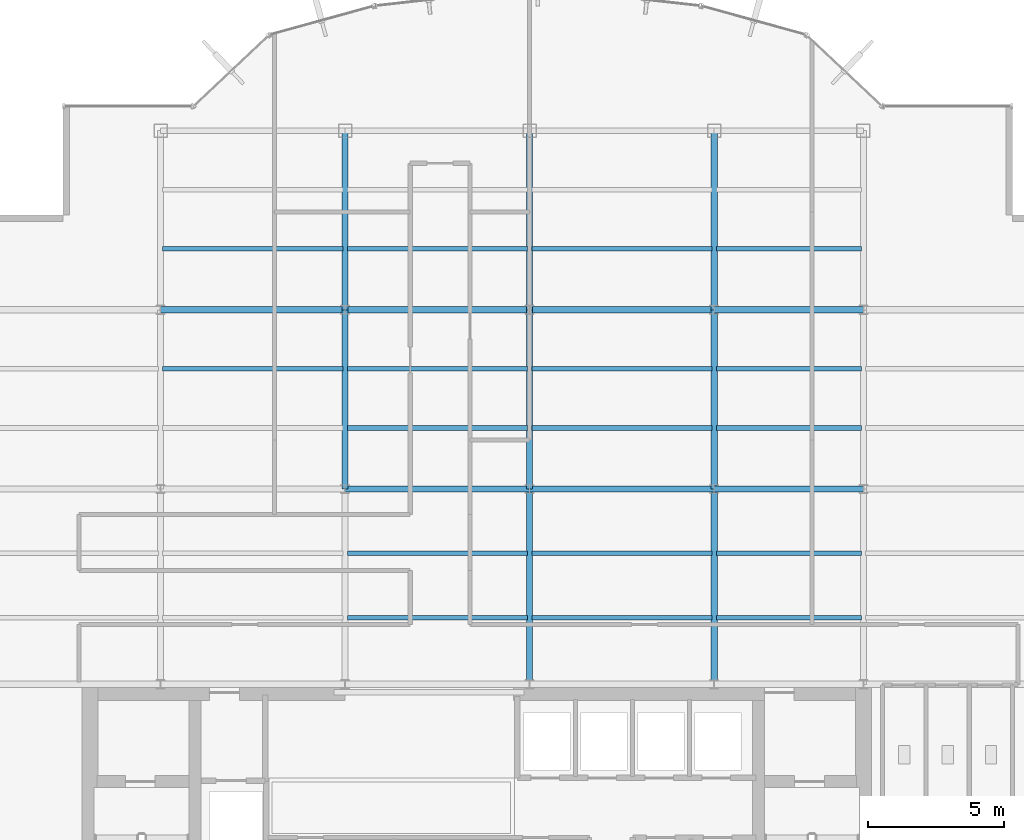
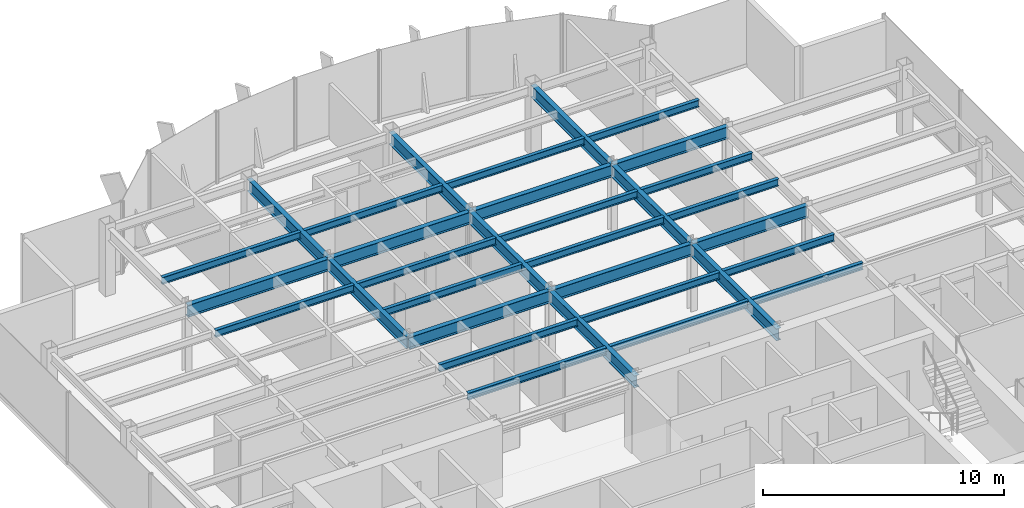
# One storey, part 8 of 22: 32 beams.
"""IFC4 building model written with IfcOpenShell, lengths in metres."""

import ifcopenshell
import ifcopenshell.guid

model = None  # the IFC model being written
_history = None  # IfcOwnerHistory: only IFC2X3 demands one
_inside = {}  # id of a spatial element -> (the spatial element, [elements in it])
_under = {}  # id of a project, library or spatial element -> (it, [spatial elements below it])
_declared = {}  # id of a project -> (the project, [libraries it declares])
_typed = {}  # id of a type object -> (the type object, [elements of that type])
_made_of = {}  # id of a material, layer set ... -> (it, [elements and type objects made of it])


def new_model(schema):
    """Start an empty IFC model of exactly this schema.

    Asked for "IFC4X3", IfcOpenShell would pick the latest addendum, in which some entities
    have other attributes; the version numbers below select the first issue.
    IFC2X3 requires an IfcOwnerHistory on every rooted entity: one is made here for all.
    """
    global model, _history
    if schema == "IFC4X3":
        model = ifcopenshell.file(schema_version=(4, 3, 0, 0))
    else:
        model = ifcopenshell.file(schema=schema)
    _inside.clear()
    _under.clear()
    _declared.clear()
    _typed.clear()
    _made_of.clear()
    _history = None
    if model.schema == "IFC2X3":
        org = make("IfcOrganization", Name="unknown")
        user = make(
            "IfcPersonAndOrganization",
            ThePerson=make("IfcPerson", FamilyName="unknown"),
            TheOrganization=org,
        )
        app = make(
            "IfcApplication",
            ApplicationDeveloper=org,
            Version="unknown",
            ApplicationFullName="unknown",
            ApplicationIdentifier="unknown",
        )
        _history = make(
            "IfcOwnerHistory",
            OwningUser=user,
            OwningApplication=app,
            ChangeAction="ADDED",
            CreationDate=0,
        )
    return model


def make(cls, **values):
    """One entity of the class cls with the attributes given. An attribute that is None is left unset."""
    return model.create_entity(
        cls, **{name: value for name, value in values.items() if value is not None}
    )


def rooted(cls, **values):
    """An entity with a GlobalId (a new one), such as an element, a storey or a relation."""
    return make(cls, GlobalId=ifcopenshell.guid.new(), OwnerHistory=_history, **values)


def si_unit(unit_type, name, prefix=None):
    """IfcSIUnit, for example si_unit("LENGTHUNIT", "METRE", prefix="MILLI")."""
    return make("IfcSIUnit", UnitType=unit_type, Prefix=prefix, Name=name)


def derived_unit(unit_type, elements):
    """IfcDerivedUnit: a product of units, each with its exponent."""
    return make(
        "IfcDerivedUnit",
        Elements=[
            make("IfcDerivedUnitElement", Unit=unit, Exponent=power)
            for unit, power in elements
        ],
        UnitType=unit_type,
    )


def assignment(units):
    """IfcUnitAssignment: the units of a project."""
    return None if units is None else make("IfcUnitAssignment", Units=units)


def point(xyz):
    """IfcCartesianPoint."""
    return None if xyz is None else make("IfcCartesianPoint", Coordinates=xyz)


def direction(xyz):
    """IfcDirection."""
    return None if xyz is None else make("IfcDirection", DirectionRatios=xyz)


def frame(location, z_axis=None, x_axis=None):
    """IfcAxis2Placement3D, a coordinate frame: its origin and axes. An axis left out is left unset."""
    return make(
        "IfcAxis2Placement3D",
        Location=point(location),
        Axis=direction(z_axis),
        RefDirection=direction(x_axis),
    )


def frame_2d(location, x_axis=None):
    """IfcAxis2Placement2D, a coordinate frame in the plane: its origin and x axis."""
    return make(
        "IfcAxis2Placement2D", Location=point(location), RefDirection=direction(x_axis)
    )


def origin():
    """The frame at (0, 0, 0) with its axes left unset."""
    return frame((0.0, 0.0, 0.0))


def origin_2d():
    """The frame at (0, 0) in the plane with its x axis left unset."""
    return frame_2d((0.0, 0.0))


def place(relative_to, where):
    """IfcLocalPlacement: puts the frame where relative to a parent placement (None: the world)."""
    return make(
        "IfcLocalPlacement", PlacementRelTo=relative_to, RelativePlacement=where
    )


def context(
    kind, dimensions, precision=None, world=None, true_north=None, identifier=None
):
    """IfcGeometricRepresentationContext, for example the 3D "Model" context."""
    return make(
        "IfcGeometricRepresentationContext",
        ContextIdentifier=identifier,
        ContextType=kind,
        CoordinateSpaceDimension=dimensions,
        Precision=precision,
        WorldCoordinateSystem=world,
        TrueNorth=true_north,
    )


def subcontext(parent, identifier, kind, view, scale=None):
    """IfcGeometricRepresentationSubContext, for example "Body" below "Model"."""
    return make(
        "IfcGeometricRepresentationSubContext",
        ContextIdentifier=identifier,
        ContextType=kind,
        ParentContext=parent,
        TargetScale=scale,
        TargetView=view,
    )


def project(units=None, contexts=None):
    """IfcProject with its units and contexts."""
    return rooted(
        "IfcProject",
        Name="project",
        RepresentationContexts=contexts,
        UnitsInContext=assignment(units),
    )


def spatial(cls, under=None, at=None, **own):
    """A site, building, storey or space (cls), placed at a placement, below another one or the project."""
    s = rooted(cls, ObjectPlacement=at, **own)
    if under is not None:
        _under.setdefault(under.id(), (under, []))[1].append(s)
    return s


def profile(cls, at=None, kind="AREA", **sizes):
    """A parametric profile (cls). Its sizes go by their IFC names, for example OverallWidth=200.0."""
    return make(cls, ProfileType=kind, Position=at, **sizes)


def i_section(**sizes):
    """IfcIShapeProfileDef."""
    return profile("IfcIShapeProfileDef", **sizes)


def extrude(swept, where, along, depth):
    """IfcExtrudedAreaSolid: the profile swept, set in the frame where, extruded along a direction by depth."""
    return make(
        "IfcExtrudedAreaSolid",
        SweptArea=swept,
        Position=where,
        ExtrudedDirection=direction(along),
        Depth=depth,
    )


def shape(context_of_items, identifier, shape_type, items):
    """IfcShapeRepresentation: the items that make up one representation, for example the "Body"."""
    return make(
        "IfcShapeRepresentation",
        ContextOfItems=context_of_items,
        RepresentationIdentifier=identifier,
        RepresentationType=shape_type,
        Items=items,
    )


def source(mapping_origin, context_of_items, identifier, shape_type, items):
    """IfcRepresentationMap: a shape defined once, which mapped items show again and again."""
    return make(
        "IfcRepresentationMap",
        MappingOrigin=mapping_origin,
        MappedRepresentation=shape(context_of_items, identifier, shape_type, items),
    )


def transform(
    local_origin,
    x_axis=None,
    y_axis=None,
    z_axis=None,
    scale=None,
    scale2=None,
    scale3=None,
    uniform=True,
):
    """IfcCartesianTransformationOperator3D, or its non-uniform kind. x_axis, y_axis, z_axis: its Axis1, 2, 3."""
    if uniform:
        return make(
            "IfcCartesianTransformationOperator3D",
            Axis1=direction(x_axis),
            Axis2=direction(y_axis),
            LocalOrigin=point(local_origin),
            Scale=scale,
            Axis3=direction(z_axis),
        )
    return make(
        "IfcCartesianTransformationOperator3DnonUniform",
        Axis1=direction(x_axis),
        Axis2=direction(y_axis),
        LocalOrigin=point(local_origin),
        Scale=scale,
        Axis3=direction(z_axis),
        Scale2=scale2,
        Scale3=scale3,
    )


def mapped(mapping_source, mapping_target):
    """IfcMappedItem: shows the shape of a source again, moved by a transform."""
    return make(
        "IfcMappedItem", MappingSource=mapping_source, MappingTarget=mapping_target
    )


def material(Name=None, Category=None):
    """IfcMaterial."""
    return make("IfcMaterial", Name=Name, Category=Category)


def material_profile(
    of_material, cross_section, Name=None, Category=None, Priority=None
):
    """IfcMaterialProfile: a cross section and its material."""
    return make(
        "IfcMaterialProfile",
        Name=Name,
        Material=of_material,
        Profile=cross_section,
        Priority=Priority,
        Category=Category,
    )


def profile_set(profiles, Name=None, composite=None):
    """IfcMaterialProfileSet."""
    return make(
        "IfcMaterialProfileSet",
        Name=Name,
        MaterialProfiles=profiles,
        CompositeProfile=composite,
    )


def made_of(thing, what):
    """Note that an element or type object is made of a material, layer set ...; save() writes the relation."""
    if what is not None:
        _made_of.setdefault(what.id(), (what, []))[1].append(thing)
    return thing


def type_object(cls, material=None, **own):
    """A type object (cls), such as IfcWallType, which elements share."""
    return made_of(rooted(cls, **own), material)


def element(
    cls,
    number,
    at=None,
    inside=None,
    cuts=None,
    type_object=None,
    material=None,
    context=None,
    identifier="Body",
    shape_type=None,
    held_by="IfcProductDefinitionShape",
    body=None,
    shapes=None,
    **own,
):
    """One element of the class cls, such as IfcWall. Its Tag is "e" and its number.

    at: its placement. inside: the storey or other place that contains it. cuts: it is an
    opening in that element (IfcRelVoidsElement). A single representation is given by context,
    identifier, shape_type and body (its items); several are given by shapes. held_by: the class
    of the entity that holds the representations. save() writes the other relations.
    """
    e = rooted(cls, Tag="e%d" % number, ObjectPlacement=at, **own)
    if body is not None:
        shapes = [shape(context, identifier, shape_type, body)]
    if shapes is not None:
        e.Representation = make(held_by, Representations=shapes)
    if inside is not None:
        _inside.setdefault(inside.id(), (inside, []))[1].append(e)
    if cuts is not None:
        rooted(
            "IfcRelVoidsElement", RelatingBuildingElement=cuts, RelatedOpeningElement=e
        )
    if type_object is not None:
        _typed.setdefault(type_object.id(), (type_object, []))[1].append(e)
    return made_of(e, material)


def aggregate(whole, parts):
    """IfcRelAggregates: a whole, such as a stair, and the parts it consists of."""
    return rooted("IfcRelAggregates", RelatingObject=whole, RelatedObjects=parts)


def save(model, path):
    """Write the relations noted so far, then the file.

    IfcRelAggregates (storeys below a building ...), IfcRelContainedInSpatialStructure (elements
    in a storey), IfcRelDefinesByType, IfcRelAssociatesMaterial and IfcRelDeclares: one each for
    every whole, place, type object, material and project.
    """
    for whole, parts in _under.values():
        aggregate(whole, parts)
    for where, things in _inside.values():
        rooted(
            "IfcRelContainedInSpatialStructure",
            RelatedElements=things,
            RelatingStructure=where,
        )
    for kind, things in _typed.values():
        rooted("IfcRelDefinesByType", RelatedObjects=things, RelatingType=kind)
    for what, things in _made_of.values():
        rooted("IfcRelAssociatesMaterial", RelatedObjects=things, RelatingMaterial=what)
    for by, libraries in _declared.values():
        rooted("IfcRelDeclares", RelatingContext=by, RelatedDefinitions=libraries)
    model.write(path)


model = new_model("IFC4")

# Units and contexts
model_context = context("Model", 3, precision=1e-05, world=origin(), true_north=direction((0.0, 1.0)))
body_context = subcontext(model_context, "Body", "Model", "MODEL_VIEW")
ifc_project = project(units=[si_unit("LENGTHUNIT", "METRE"), si_unit("AREAUNIT", "SQUARE_METRE"), si_unit("VOLUMEUNIT", "CUBIC_METRE"), si_unit("PLANEANGLEUNIT", "RADIAN"), si_unit("MASSUNIT", "GRAM", prefix="KILO"), derived_unit("THERMALTRANSMITTANCEUNIT", [(si_unit("POWERUNIT", "WATT"), 1), (si_unit("LENGTHUNIT", "METRE"), -2), (si_unit("THERMODYNAMICTEMPERATUREUNIT", "KELVIN"), -1)])], contexts=[model_context])

# Site, building, storey
site_placement = place(None, origin())
site = spatial("IfcSite", under=ifc_project, at=site_placement, CompositionType="ELEMENT")
building_placement = place(site_placement, origin())
building = spatial("IfcBuilding", under=site, at=building_placement, Name="Skarnbrae Concourse Arena and Tower", CompositionType="ELEMENT")
storey_placement = place(building_placement, frame((0.0, 0.0, 228.75)))
storey = spatial("IfcBuildingStorey", under=building, at=storey_placement, Name="L59", CompositionType="ELEMENT", Elevation=228.75)

# Beams
ifc_material = material(Name="Steel CSA G40.21 350W", Category="steel")
ifc_material_profile_1 = material_profile(ifc_material, i_section(OverallWidth=0.22802734375, OverallDepth=0.60791015625, WebThickness=0.01123046875, FlangeThickness=0.017333984375, at=origin_2d()), Name="W610X113")
ifc_profile_set_1 = profile_set([ifc_material_profile_1], Name="Steel CSA G40.21 350W")
beam_type_1 = type_object("IfcBeamType", Name="BM-GIRD-W610X113", PredefinedType="BEAM", material=ifc_profile_set_1)
shared_shape_1 = source(origin(), body_context, "Body", "SweptSolid", [
    extrude(i_section(OverallWidth=0.22802734375, OverallDepth=0.60791015625, WebThickness=0.01123046875, FlangeThickness=0.017333984375, at=origin_2d()), origin(), (0.0, 0.0, 1.0), 6.60009765625),
])
for number, where, z_axis, x_axis, name in (
    (1, (14.39990234375, 21.199951171875, 3.095947265625), (0.0, 1.0, 0.0), (-1.0, 0.0, 0.0), "L59 Primary N-S girder X14.4-2"),
    (2, (21.199951171875, 21.199951171875, 3.095947265625), (0.0, 1.0, 0.0), (-1.0, 0.0, 0.0), "L59 Primary N-S girder X21.2-2"),
    (3, (28.0, 21.199951171875, 3.095947265625), (0.0, 1.0, 0.0), (-1.0, 0.0, 0.0), "L59 Primary N-S girder X28.0-2"),
):
    element("IfcBeam", number, at=place(storey_placement, frame(where, z_axis=z_axis, x_axis=x_axis)), inside=storey, type_object=beam_type_1, Name=name, PredefinedType="BEAM", context=body_context, shape_type="MappedRepresentation", body=[
        mapped(shared_shape_1, transform((0.0, 0.0, 0.0))),
    ])
shared_shape_2 = source(origin(), body_context, "Body", "SweptSolid", [
    extrude(i_section(OverallWidth=0.22802734375, OverallDepth=0.60791015625, WebThickness=0.01123046875, FlangeThickness=0.017333984375, at=origin_2d()), origin(), (0.0, 0.0, 1.0), 6.7998046875),
])
beam_placement = place(storey_placement, frame((7.60009765625, 27.800048828125, 3.095947265625), z_axis=(1.0, 0.0, 0.0), x_axis=(0.0, 1.0, 0.0)))
element("IfcBeam", 4, at=beam_placement, inside=storey, type_object=beam_type_1, Name="L59 Primary E-W girder Y27.8-2", PredefinedType="BEAM", context=body_context, shape_type="MappedRepresentation", body=[
    mapped(shared_shape_2, transform((0.0, 0.0, 0.0))),
])
shared_shape_3 = source(origin(), body_context, "Body", "SweptSolid", [
    extrude(i_section(OverallWidth=0.22802734375, OverallDepth=0.60791015625, WebThickness=0.01123046875, FlangeThickness=0.017333984375, at=origin_2d()), origin(), (0.0, 0.0, 1.0), 6.800048828125),
])
for number, where, z_axis, x_axis, name in (
    (5, (14.39990234375, 21.199951171875, 3.095947265625), (1.0, 0.0, 0.0), (0.0, 1.0, 0.0), "L59 Primary E-W girder Y21.2-3"),
    (6, (21.199951171875, 21.199951171875, 3.095947265625), (1.0, 0.0, 0.0), (0.0, 1.0, 0.0), "L59 Primary E-W girder Y21.2-4"),
    (7, (14.39990234375, 27.800048828125, 3.095947265625), (1.0, 0.0, 0.0), (0.0, 1.0, 0.0), "L59 Primary E-W girder Y27.8-3"),
    (8, (21.199951171875, 27.800048828125, 3.095947265625), (1.0, 0.0, 0.0), (0.0, 1.0, 0.0), "L59 Primary E-W girder Y27.8-4"),
):
    element("IfcBeam", number, at=place(storey_placement, frame(where, z_axis=z_axis, x_axis=x_axis)), inside=storey, type_object=beam_type_1, Name=name, PredefinedType="BEAM", context=body_context, shape_type="MappedRepresentation", body=[
        mapped(shared_shape_3, transform((0.0, 0.0, 0.0))),
    ])
shared_shape_4 = source(origin(), body_context, "Body", "SweptSolid", [
    extrude(i_section(OverallWidth=0.22802734375, OverallDepth=0.60791015625, WebThickness=0.01123046875, FlangeThickness=0.017333984375, at=origin_2d()), origin(), (0.0, 0.0, 1.0), 5.5),
])
for number, where, z_axis, x_axis, name in (
    (9, (28.0, 21.199951171875, 3.095947265625), (1.0, 0.0, 0.0), (0.0, 1.0, 0.0), "L59 Primary E-W girder Y21.2-5"),
    (10, (28.0, 27.800048828125, 3.095947265625), (1.0, 0.0, 0.0), (0.0, 1.0, 0.0), "L59 Primary E-W girder Y27.8-5"),
):
    element("IfcBeam", number, at=place(storey_placement, frame(where, z_axis=z_axis, x_axis=x_axis)), inside=storey, type_object=beam_type_1, Name=name, PredefinedType="BEAM", context=body_context, shape_type="MappedRepresentation", body=[
        mapped(shared_shape_4, transform((0.0, 0.0, 0.0))),
    ])
shared_shape_5 = source(origin(), body_context, "Body", "SweptSolid", [
    extrude(i_section(OverallWidth=0.22802734375, OverallDepth=0.60791015625, WebThickness=0.01123046875, FlangeThickness=0.017333984375, at=origin_2d()), origin(), (0.0, 0.0, 1.0), 7.199951171875),
])
for number, where, z_axis, x_axis, name in (
    (11, (21.199951171875, 14.0, 3.095947265625), (0.0, 1.0, 0.0), (-1.0, 0.0, 0.0), "L59 Primary N-S girder X21.2-1"),
    (12, (28.0, 14.0, 3.095947265625), (0.0, 1.0, 0.0), (-1.0, 0.0, 0.0), "L59 Primary N-S girder X28.0-1"),
):
    element("IfcBeam", number, at=place(storey_placement, frame(where, z_axis=z_axis, x_axis=x_axis)), inside=storey, type_object=beam_type_1, Name=name, PredefinedType="BEAM", context=body_context, shape_type="MappedRepresentation", body=[
        mapped(shared_shape_5, transform((0.0, 0.0, 0.0))),
    ])
shared_shape_6 = source(origin(), body_context, "Body", "SweptSolid", [
    extrude(i_section(OverallWidth=0.22802734375, OverallDepth=0.60791015625, WebThickness=0.01123046875, FlangeThickness=0.017333984375, at=origin_2d()), origin(), (0.0, 0.0, 1.0), 6.599853515625),
])
for number, where, z_axis, x_axis, name in (
    (13, (14.39990234375, 27.800048828125, 3.095947265625), (0.0, 1.0, 0.0), (-1.0, 0.0, 0.0), "L59 Primary N-S girder X14.4-3"),
    (14, (21.199951171875, 27.800048828125, 3.095947265625), (0.0, 1.0, 0.0), (-1.0, 0.0, 0.0), "L59 Primary N-S girder X21.2-3"),
    (15, (28.0, 27.800048828125, 3.095947265625), (0.0, 1.0, 0.0), (-1.0, 0.0, 0.0), "L59 Primary N-S girder X28.0-3"),
):
    element("IfcBeam", number, at=place(storey_placement, frame(where, z_axis=z_axis, x_axis=x_axis)), inside=storey, type_object=beam_type_1, Name=name, PredefinedType="BEAM", context=body_context, shape_type="MappedRepresentation", body=[
        mapped(shared_shape_6, transform((0.0, 0.0, 0.0))),
    ])
ifc_material_profile_2 = material_profile(ifc_material, i_section(OverallWidth=0.1708984375, OverallDepth=0.35498046875, WebThickness=0.007080078125, FlangeThickness=0.01171875, at=origin_2d()), Name="W360X51")
ifc_profile_set_2 = profile_set([ifc_material_profile_2], Name="Steel CSA G40.21 350W")
beam_type_2 = type_object("IfcBeamType", Name="BM-JOIST-W360X51", PredefinedType="JOIST", material=ifc_profile_set_2)
shared_shape_7 = source(origin(), body_context, "Body", "SweptSolid", [
    extrude(i_section(OverallWidth=0.1708984375, OverallDepth=0.35498046875, WebThickness=0.007080078125, FlangeThickness=0.01171875, at=origin_2d()), origin(), (0.0, 0.0, 1.0), 6.64013671875),
])
for number, where, z_axis, x_axis, name in (
    (16, (14.47998046875, 16.447998046875, 3.222412109375), (1.0, 0.0, 0.0), (0.0, 1.0, 0.0), "L59 Secondary floor joist 1.1.3"),
    (17, (14.47998046875, 18.823974609375, 3.222412109375), (1.0, 0.0, 0.0), (0.0, 1.0, 0.0), "L59 Secondary floor joist 1.2.3"),
    (18, (14.47998046875, 23.444091796875, 3.222412109375), (1.0, 0.0, 0.0), (0.0, 1.0, 0.0), "L59 Secondary floor joist 2.1.3"),
    (19, (7.679931640625, 25.6220703125, 3.222412109375), (1.0, 0.0, 0.0), (0.0, 1.0, 0.0), "L59 Secondary floor joist 2.2.2"),
    (20, (14.47998046875, 25.6220703125, 3.222412109375), (1.0, 0.0, 0.0), (0.0, 1.0, 0.0), "L59 Secondary floor joist 2.2.3"),
    (21, (7.679931640625, 30.0439453125, 3.222412109375), (1.0, 0.0, 0.0), (0.0, 1.0, 0.0), "L59 Secondary floor joist 3.1.1"),
    (22, (14.47998046875, 30.0439453125, 3.222412109375), (1.0, 0.0, 0.0), (0.0, 1.0, 0.0), "L59 Secondary floor joist 3.1.2"),
):
    element("IfcBeam", number, at=place(storey_placement, frame(where, z_axis=z_axis, x_axis=x_axis)), inside=storey, type_object=beam_type_2, Name=name, PredefinedType="JOIST", context=body_context, shape_type="MappedRepresentation", body=[
        mapped(shared_shape_7, transform((0.0, 0.0, 0.0))),
    ])
shared_shape_8 = source(origin(), body_context, "Body", "SweptSolid", [
    extrude(i_section(OverallWidth=0.1708984375, OverallDepth=0.35498046875, WebThickness=0.007080078125, FlangeThickness=0.01171875, at=origin_2d()), origin(), (0.0, 0.0, 1.0), 6.639892578125),
])
for number, where, z_axis, x_axis, name in (
    (23, (21.280029296875, 16.447998046875, 3.222412109375), (1.0, 0.0, 0.0), (0.0, 1.0, 0.0), "L59 Secondary floor joist 1.1.4"),
    (24, (21.280029296875, 18.823974609375, 3.222412109375), (1.0, 0.0, 0.0), (0.0, 1.0, 0.0), "L59 Secondary floor joist 1.2.4"),
    (25, (21.280029296875, 23.444091796875, 3.222412109375), (1.0, 0.0, 0.0), (0.0, 1.0, 0.0), "L59 Secondary floor joist 2.1.4"),
    (26, (21.280029296875, 25.6220703125, 3.222412109375), (1.0, 0.0, 0.0), (0.0, 1.0, 0.0), "L59 Secondary floor joist 2.2.4"),
    (27, (21.280029296875, 30.0439453125, 3.222412109375), (1.0, 0.0, 0.0), (0.0, 1.0, 0.0), "L59 Secondary floor joist 3.1.3"),
):
    element("IfcBeam", number, at=place(storey_placement, frame(where, z_axis=z_axis, x_axis=x_axis)), inside=storey, type_object=beam_type_2, Name=name, PredefinedType="JOIST", context=body_context, shape_type="MappedRepresentation", body=[
        mapped(shared_shape_8, transform((0.0, 0.0, 0.0))),
    ])
shared_shape_9 = source(origin(), body_context, "Body", "SweptSolid", [
    extrude(i_section(OverallWidth=0.1708984375, OverallDepth=0.35498046875, WebThickness=0.007080078125, FlangeThickness=0.01171875, at=origin_2d()), origin(), (0.0, 0.0, 1.0), 5.33984375),
])
for number, where, z_axis, x_axis, name in (
    (28, (28.080078125, 16.447998046875, 3.222412109375), (1.0, 0.0, 0.0), (0.0, 1.0, 0.0), "L59 Secondary floor joist 1.1.5"),
    (29, (28.080078125, 18.823974609375, 3.222412109375), (1.0, 0.0, 0.0), (0.0, 1.0, 0.0), "L59 Secondary floor joist 1.2.5"),
    (30, (28.080078125, 23.444091796875, 3.222412109375), (1.0, 0.0, 0.0), (0.0, 1.0, 0.0), "L59 Secondary floor joist 2.1.5"),
    (31, (28.080078125, 25.6220703125, 3.222412109375), (1.0, 0.0, 0.0), (0.0, 1.0, 0.0), "L59 Secondary floor joist 2.2.5"),
    (32, (28.080078125, 30.0439453125, 3.222412109375), (1.0, 0.0, 0.0), (0.0, 1.0, 0.0), "L59 Secondary floor joist 3.1.4"),
):
    element("IfcBeam", number, at=place(storey_placement, frame(where, z_axis=z_axis, x_axis=x_axis)), inside=storey, type_object=beam_type_2, Name=name, PredefinedType="JOIST", context=body_context, shape_type="MappedRepresentation", body=[
        mapped(shared_shape_9, transform((0.0, 0.0, 0.0))),
    ])

save(model, "model.ifc")
